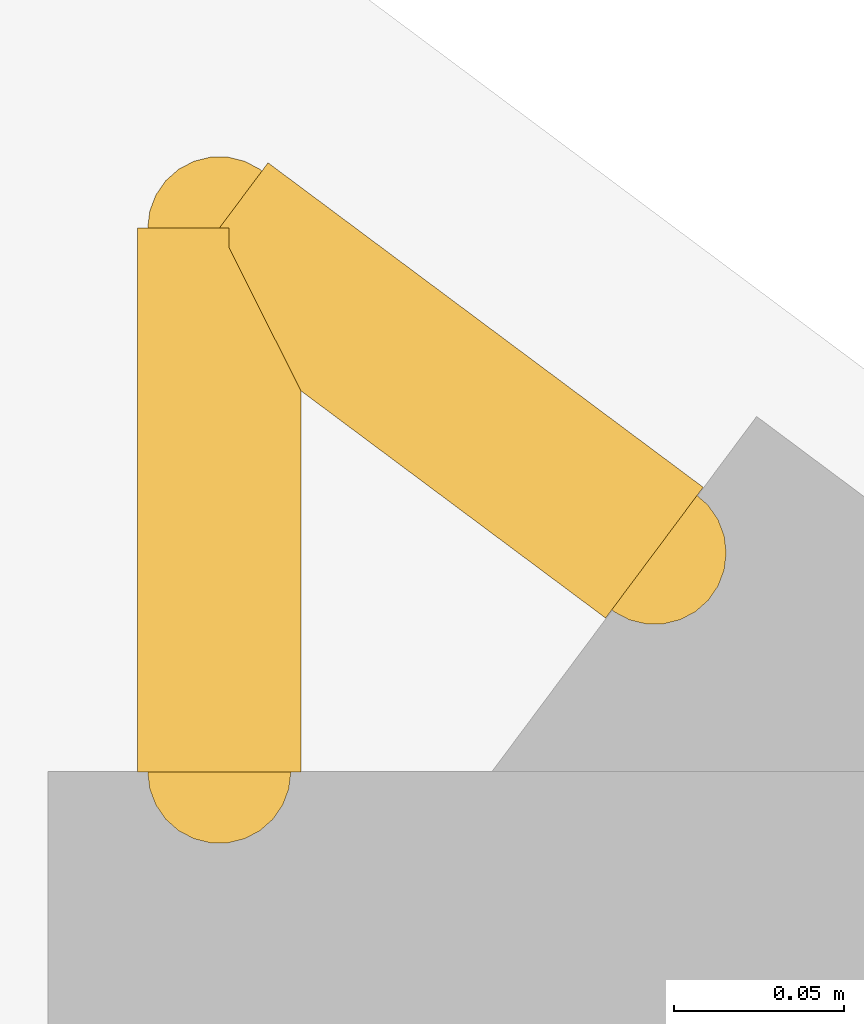
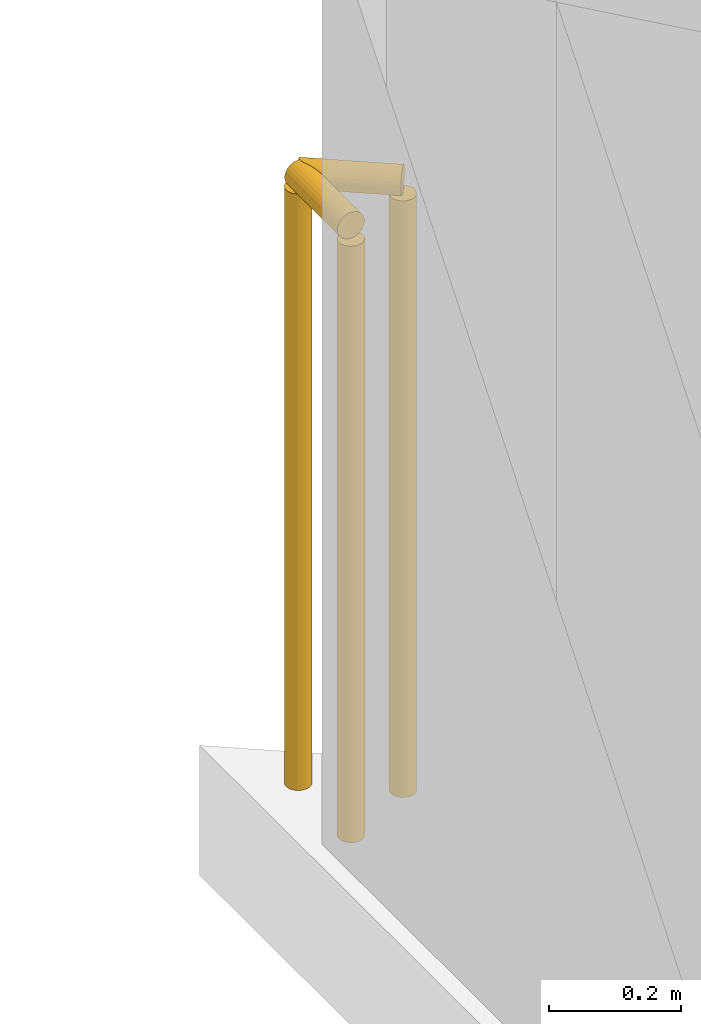
# One storey, part 15 of 15: 2 railings.
"""IFC4 building model written with IfcOpenShell, lengths in metres."""

import ifcopenshell
import ifcopenshell.guid

model = None  # the IFC model being written
_history = None  # IfcOwnerHistory: only IFC2X3 demands one
_inside = {}  # id of a spatial element -> (the spatial element, [elements in it])
_under = {}  # id of a project, library or spatial element -> (it, [spatial elements below it])
_declared = {}  # id of a project -> (the project, [libraries it declares])
_typed = {}  # id of a type object -> (the type object, [elements of that type])
_made_of = {}  # id of a material, layer set ... -> (it, [elements and type objects made of it])


def new_model(schema):
    """Start an empty IFC model of exactly this schema.

    Asked for "IFC4X3", IfcOpenShell would pick the latest addendum, in which some entities
    have other attributes; the version numbers below select the first issue.
    IFC2X3 requires an IfcOwnerHistory on every rooted entity: one is made here for all.
    """
    global model, _history
    if schema == "IFC4X3":
        model = ifcopenshell.file(schema_version=(4, 3, 0, 0))
    else:
        model = ifcopenshell.file(schema=schema)
    _inside.clear()
    _under.clear()
    _declared.clear()
    _typed.clear()
    _made_of.clear()
    _history = None
    if model.schema == "IFC2X3":
        org = make("IfcOrganization", Name="unknown")
        user = make(
            "IfcPersonAndOrganization",
            ThePerson=make("IfcPerson", FamilyName="unknown"),
            TheOrganization=org,
        )
        app = make(
            "IfcApplication",
            ApplicationDeveloper=org,
            Version="unknown",
            ApplicationFullName="unknown",
            ApplicationIdentifier="unknown",
        )
        _history = make(
            "IfcOwnerHistory",
            OwningUser=user,
            OwningApplication=app,
            ChangeAction="ADDED",
            CreationDate=0,
        )
    return model


def make(cls, **values):
    """One entity of the class cls with the attributes given. An attribute that is None is left unset."""
    return model.create_entity(
        cls, **{name: value for name, value in values.items() if value is not None}
    )


def rooted(cls, **values):
    """An entity with a GlobalId (a new one), such as an element, a storey or a relation."""
    return make(cls, GlobalId=ifcopenshell.guid.new(), OwnerHistory=_history, **values)


def si_unit(unit_type, name, prefix=None):
    """IfcSIUnit, for example si_unit("LENGTHUNIT", "METRE", prefix="MILLI")."""
    return make("IfcSIUnit", UnitType=unit_type, Prefix=prefix, Name=name)


def assignment(units):
    """IfcUnitAssignment: the units of a project."""
    return None if units is None else make("IfcUnitAssignment", Units=units)


def point(xyz):
    """IfcCartesianPoint."""
    return None if xyz is None else make("IfcCartesianPoint", Coordinates=xyz)


def direction(xyz):
    """IfcDirection."""
    return None if xyz is None else make("IfcDirection", DirectionRatios=xyz)


def frame(location, z_axis=None, x_axis=None):
    """IfcAxis2Placement3D, a coordinate frame: its origin and axes. An axis left out is left unset."""
    return make(
        "IfcAxis2Placement3D",
        Location=point(location),
        Axis=direction(z_axis),
        RefDirection=direction(x_axis),
    )


def frame_2d(location, x_axis=None):
    """IfcAxis2Placement2D, a coordinate frame in the plane: its origin and x axis."""
    return make(
        "IfcAxis2Placement2D", Location=point(location), RefDirection=direction(x_axis)
    )


def origin():
    """The frame at (0, 0, 0) with its axes left unset."""
    return frame((0.0, 0.0, 0.0))


def origin_2d():
    """The frame at (0, 0) in the plane with its x axis left unset."""
    return frame_2d((0.0, 0.0))


def place(relative_to, where):
    """IfcLocalPlacement: puts the frame where relative to a parent placement (None: the world)."""
    return make(
        "IfcLocalPlacement", PlacementRelTo=relative_to, RelativePlacement=where
    )


def context(
    kind, dimensions, precision=None, world=None, true_north=None, identifier=None
):
    """IfcGeometricRepresentationContext, for example the 3D "Model" context."""
    return make(
        "IfcGeometricRepresentationContext",
        ContextIdentifier=identifier,
        ContextType=kind,
        CoordinateSpaceDimension=dimensions,
        Precision=precision,
        WorldCoordinateSystem=world,
        TrueNorth=true_north,
    )


def subcontext(parent, identifier, kind, view, scale=None):
    """IfcGeometricRepresentationSubContext, for example "Body" below "Model"."""
    return make(
        "IfcGeometricRepresentationSubContext",
        ContextIdentifier=identifier,
        ContextType=kind,
        ParentContext=parent,
        TargetScale=scale,
        TargetView=view,
    )


def project(units=None, contexts=None):
    """IfcProject with its units and contexts."""
    return rooted(
        "IfcProject",
        Name="project",
        RepresentationContexts=contexts,
        UnitsInContext=assignment(units),
    )


def spatial(cls, under=None, at=None, **own):
    """A site, building, storey or space (cls), placed at a placement, below another one or the project."""
    s = rooted(cls, ObjectPlacement=at, **own)
    if under is not None:
        _under.setdefault(under.id(), (under, []))[1].append(s)
    return s


def profile(cls, at=None, kind="AREA", **sizes):
    """A parametric profile (cls). Its sizes go by their IFC names, for example OverallWidth=200.0."""
    return make(cls, ProfileType=kind, Position=at, **sizes)


def circle(**sizes):
    """IfcCircleProfileDef."""
    return profile("IfcCircleProfileDef", **sizes)


def extrude(swept, where, along, depth):
    """IfcExtrudedAreaSolid: the profile swept, set in the frame where, extruded along a direction by depth."""
    return make(
        "IfcExtrudedAreaSolid",
        SweptArea=swept,
        Position=where,
        ExtrudedDirection=direction(along),
        Depth=depth,
    )


def shape(context_of_items, identifier, shape_type, items):
    """IfcShapeRepresentation: the items that make up one representation, for example the "Body"."""
    return make(
        "IfcShapeRepresentation",
        ContextOfItems=context_of_items,
        RepresentationIdentifier=identifier,
        RepresentationType=shape_type,
        Items=items,
    )


def material(Name=None, Category=None):
    """IfcMaterial."""
    return make("IfcMaterial", Name=Name, Category=Category)


def made_of(thing, what):
    """Note that an element or type object is made of a material, layer set ...; save() writes the relation."""
    if what is not None:
        _made_of.setdefault(what.id(), (what, []))[1].append(thing)
    return thing


def type_object(cls, material=None, **own):
    """A type object (cls), such as IfcWallType, which elements share."""
    return made_of(rooted(cls, **own), material)


def element(
    cls,
    number,
    at=None,
    inside=None,
    cuts=None,
    type_object=None,
    material=None,
    context=None,
    identifier="Body",
    shape_type=None,
    held_by="IfcProductDefinitionShape",
    body=None,
    shapes=None,
    **own,
):
    """One element of the class cls, such as IfcWall. Its Tag is "e" and its number.

    at: its placement. inside: the storey or other place that contains it. cuts: it is an
    opening in that element (IfcRelVoidsElement). A single representation is given by context,
    identifier, shape_type and body (its items); several are given by shapes. held_by: the class
    of the entity that holds the representations. save() writes the other relations.
    """
    e = rooted(cls, Tag="e%d" % number, ObjectPlacement=at, **own)
    if body is not None:
        shapes = [shape(context, identifier, shape_type, body)]
    if shapes is not None:
        e.Representation = make(held_by, Representations=shapes)
    if inside is not None:
        _inside.setdefault(inside.id(), (inside, []))[1].append(e)
    if cuts is not None:
        rooted(
            "IfcRelVoidsElement", RelatingBuildingElement=cuts, RelatedOpeningElement=e
        )
    if type_object is not None:
        _typed.setdefault(type_object.id(), (type_object, []))[1].append(e)
    return made_of(e, material)


def aggregate(whole, parts):
    """IfcRelAggregates: a whole, such as a stair, and the parts it consists of."""
    return rooted("IfcRelAggregates", RelatingObject=whole, RelatedObjects=parts)


def save(model, path):
    """Write the relations noted so far, then the file.

    IfcRelAggregates (storeys below a building ...), IfcRelContainedInSpatialStructure (elements
    in a storey), IfcRelDefinesByType, IfcRelAssociatesMaterial and IfcRelDeclares: one each for
    every whole, place, type object, material and project.
    """
    for whole, parts in _under.values():
        aggregate(whole, parts)
    for where, things in _inside.values():
        rooted(
            "IfcRelContainedInSpatialStructure",
            RelatedElements=things,
            RelatingStructure=where,
        )
    for kind, things in _typed.values():
        rooted("IfcRelDefinesByType", RelatedObjects=things, RelatingType=kind)
    for what, things in _made_of.values():
        rooted("IfcRelAssociatesMaterial", RelatedObjects=things, RelatingMaterial=what)
    for by, libraries in _declared.values():
        rooted("IfcRelDeclares", RelatingContext=by, RelatedDefinitions=libraries)
    model.write(path)


model = new_model("IFC4")

# Units and contexts
model_context = context("Model", 3, precision=1e-05, world=origin(), true_north=direction((0.0, 1.0)))
body_context = subcontext(model_context, "Body", "Model", "MODEL_VIEW")
ifc_project = project(units=[si_unit("LENGTHUNIT", "METRE"), si_unit("AREAUNIT", "SQUARE_METRE"), si_unit("VOLUMEUNIT", "CUBIC_METRE"), si_unit("PLANEANGLEUNIT", "RADIAN"), si_unit("MASSUNIT", "GRAM", prefix="KILO")], contexts=[model_context])

# Site, building, storey
site_placement = place(None, origin())
site = spatial("IfcSite", under=ifc_project, at=site_placement, CompositionType="ELEMENT")
building_placement = place(site_placement, origin())
building = spatial("IfcBuilding", under=site, at=building_placement, Name="Varnakote Quay Hospital", CompositionType="ELEMENT")
storey_placement = place(building_placement, frame((0.0, 0.0, 252.60009765625)))
storey = spatial("IfcBuildingStorey", under=building, at=storey_placement, Name="L62", CompositionType="ELEMENT", Elevation=252.60009765625)

# Railings
ifc_material = material(Name="Anodised aluminium 6063-T6 Bronze", Category="aluminium")
railing_type = type_object("IfcRailingType", Name="RLG-EXT-GUARD-1150", PredefinedType="GUARDRAIL", material=ifc_material)
railing_1_placement = place(storey_placement, frame((2.580078125, 41.881103515625, 0.0)))
element("IfcRailing", 1, at=railing_1_placement, inside=storey, type_object=railing_type, Name="L62 Slab Edge Perimeter Safety Guard", PredefinedType="GUARDRAIL", context=body_context, shape_type="SweptSolid", body=[
    extrude(circle(Radius=0.02392578125, at=origin_2d()), frame((0.0, 0.0, 1.1259765625), z_axis=(0.0, 1.0, 0.0), x_axis=(-1.0, 0.0, 0.0)), (0.0, 0.0, 1.0), 0.159423828125),
    extrude(circle(Radius=0.02099609375, at=origin_2d()), origin(), (0.0, 0.0, 1.0), 1.101806640625),
    extrude(circle(Radius=0.02099609375, at=origin_2d()), frame((0.0, 0.159423828125, 0.0)), (0.0, 0.0, 1.0), 1.101806640625),
])
railing_2_placement = place(storey_placement, frame((2.580078125, 42.04052734375, 0.0)))
element("IfcRailing", 2, at=railing_2_placement, inside=storey, type_object=railing_type, Name="L62 Slab Edge Perimeter Safety Guard", PredefinedType="GUARDRAIL", context=body_context, shape_type="SweptSolid", body=[
    extrude(circle(Radius=0.02392578125, at=origin_2d()), frame((0.0, 0.0, 1.1259765625), z_axis=(0.801652374907, -0.597790489892, 0.0), x_axis=(0.597790489892, 0.801652374907, 0.0)), (0.0, 0.0, 1.0), 0.1591796875),
    extrude(circle(Radius=0.02099609375, at=origin_2d()), origin(), (0.0, 0.0, 1.0), 1.101806640625),
    extrude(circle(Radius=0.02099609375, at=origin_2d()), frame((0.127685546875, -0.09521484375, 0.0)), (0.0, 0.0, 1.0), 1.101806640625),
])

save(model, "model.ifc")
